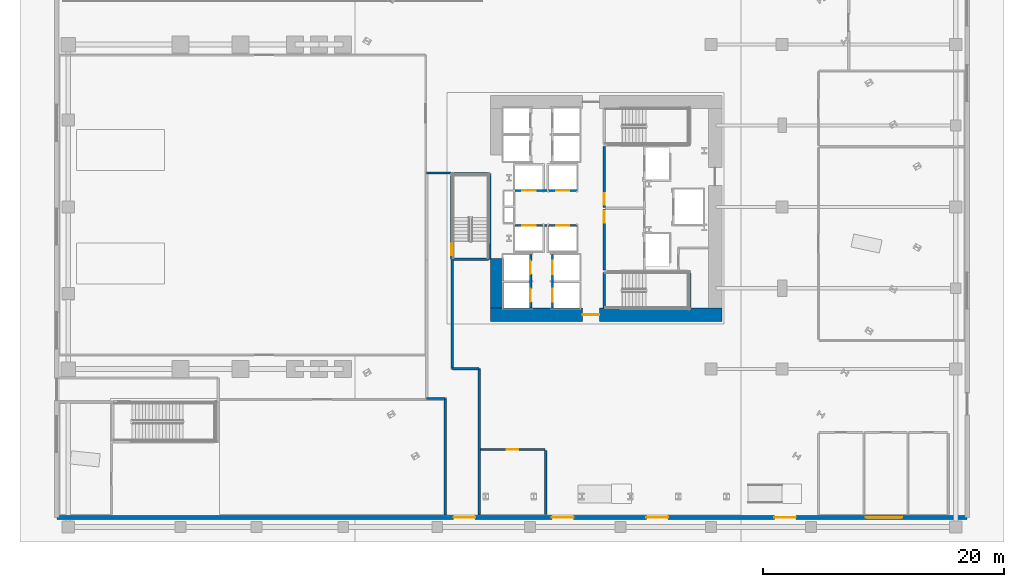
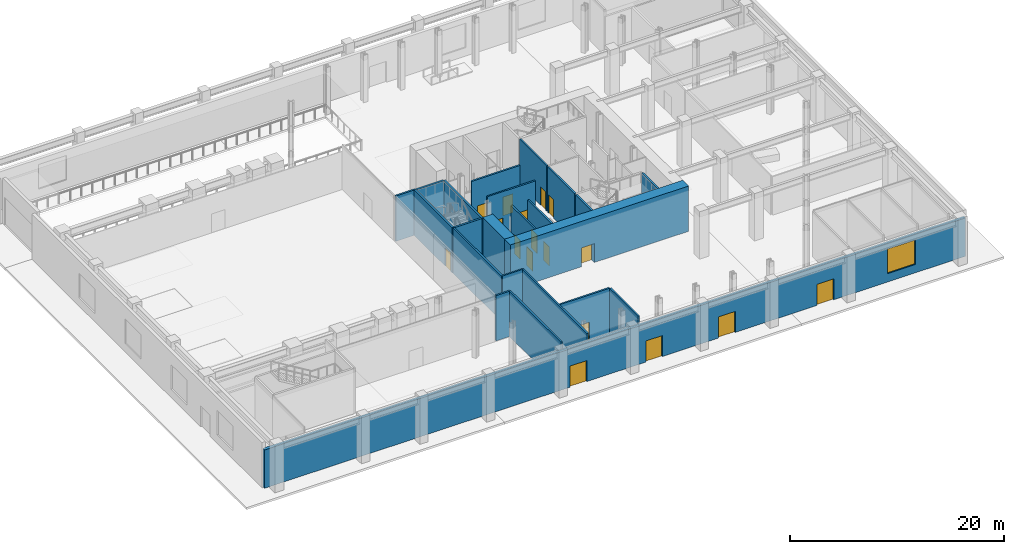
# One storey, part 4 of 18: 23 walls, 17 doors, 1 window, 18 openings.
"""IFC4 building model written with IfcOpenShell, lengths in metres."""

from ifc_helpers import new_model, si_unit, direction, frame, frame_2d, origin, place, context, subcontext, project, spatial, rectangle, extrude, material, layer, layer_set, type_object, element, fill, save


model = new_model("IFC4")

# Units and contexts
model_context = context("Model", 3, precision=1e-05, world=origin(), true_north=direction((0.0, 1.0)))
body_context = subcontext(model_context, "Body", "Model", "MODEL_VIEW")
ifc_project = project(units=[si_unit("LENGTHUNIT", "METRE"), si_unit("AREAUNIT", "SQUARE_METRE"), si_unit("VOLUMEUNIT", "CUBIC_METRE"), si_unit("PLANEANGLEUNIT", "RADIAN"), si_unit("MASSUNIT", "GRAM", prefix="KILO")], contexts=[model_context])

# Site, building, storey
site_placement = place(None, origin())
site = spatial("IfcSite", under=ifc_project, at=site_placement, CompositionType="ELEMENT")
building_placement = place(site_placement, origin())
building = spatial("IfcBuilding", under=site, at=building_placement, Name="Valkerne Bourse Tower", CompositionType="ELEMENT")
storey_placement = place(building_placement, origin())
storey = spatial("IfcBuildingStorey", under=building, at=storey_placement, Name="L00", CompositionType="ELEMENT", Elevation=0.0)

# Wall, opening, door
ifc_material_1 = material(Name="Concrete C70/85", Category="concrete")
ifc_layer_1 = layer(ifc_material_1, 1.10009765625)
ifc_layer_set_1 = layer_set([ifc_layer_1], Name="Concrete C70/85")
wall_type_1 = type_object("IfcWallType", Name="W-CORE-1100", PredefinedType="SHEAR", material=ifc_layer_set_1)
wall_1_placement = place(storey_placement, frame((37.199951171875, 18.050048828125, 0.0), z_axis=(0.0, 0.0, 1.0), x_axis=(1.0, 0.0, 0.0)))
wall_1 = element("IfcWall", 1, at=wall_1_placement, inside=storey, type_object=wall_type_1, Name="L00 Core Shear Wall SOUTH", PredefinedType="SHEAR", context=body_context, shape_type="SweptSolid", body=[
    extrude(rectangle(XDim=19.199951171875, YDim=1.10009765625, at=frame_2d((9.60009765625, 0.0))), origin(), (0.0, 0.0, 1.0), 5.159912109375),
])
opening_1_placement = place(wall_1_placement, frame((7.64990234375, 0.0, 0.0)))
opening_1 = element("IfcOpeningElement", 2, at=opening_1_placement, cuts=wall_1, Name="Opening D-PL-1400", PredefinedType="OPENING", context=body_context, shape_type="SweptSolid", body=[
    extrude(rectangle(XDim=1.39990234375, YDim=2.14990234375, at=frame_2d((0.699951171875, 1.074951171875))), frame((0.0, 0.56005859375, 0.0), z_axis=(0.0, -1.0, 0.0), x_axis=(1.0, 0.0, 0.0)), (0.0, 0.0, 1.0), 1.1201171875),
])
ifc_material_2 = material(Name="Galvanised Painted Steel", Category="steel")
door_type_1 = type_object("IfcDoorType", Name="DR-PLT-1400", OperationType="DOUBLE_DOOR_SINGLE_SWING", PredefinedType="DOOR", material=ifc_material_2)
door_1_placement = place(opening_1_placement, origin())
door_1 = element("IfcDoor", 3, at=door_1_placement, inside=storey, type_object=door_type_1, Name="L00 South Passenger Lift Hall Fire Door", OperationType="DOUBLE_DOOR_SINGLE_SWING", OverallHeight=2.14990234375, OverallWidth=1.39990234375, PredefinedType="DOOR", context=body_context, shape_type="SweptSolid", body=[
    extrude(rectangle(XDim=1.39990234375, YDim=2.14990234375, at=frame_2d((0.699951171875, 1.074951171875))), frame((0.0, 0.02490234375, 0.0), z_axis=(0.0, -1.0, 0.0), x_axis=(1.0, 0.0, 0.0)), (0.0, 0.0, 1.0), 0.050048828125),
])
fill(opening_1, door_1)

# Wall
wall_2_placement = place(storey_placement, frame((37.75, 18.60009765625, 0.0), z_axis=(0.0, 0.0, 1.0), x_axis=(0.0, 1.0, 0.0)))
element("IfcWall", 4, at=wall_2_placement, inside=storey, type_object=wall_type_1, Name="L00 Core Shear Wall WEST-S", PredefinedType="SHEAR", context=body_context, shape_type="SweptSolid", body=[
    extrude(rectangle(XDim=4.099853515625, YDim=1.10009765625, at=frame_2d((2.0498046875, 0.0))), origin(), (0.0, 0.0, 1.0), 5.159912109375),
])

# Wall, openings, doors, window
ifc_material_3 = material(Name="Indiana Limestone Cladding", Category="masonry")
ifc_layer_2 = layer(ifc_material_3, 0.35009765625)
ifc_layer_set_2 = layer_set([ifc_layer_2], Name="Indiana Limestone Cladding")
wall_type_2 = type_object("IfcWallType", Name="W-EXT-LIMESTONE-350", PredefinedType="STANDARD", material=ifc_layer_set_2)
wall_3_placement = place(storey_placement, frame((76.75, 1.25, 0.0), z_axis=(0.0, 0.0, 1.0), x_axis=(-1.0, 0.0, 0.0)))
wall_3 = element("IfcWall", 5, at=wall_3_placement, inside=storey, type_object=wall_type_2, Name="L00 Podium Exterior Wall SOUTH", PredefinedType="STANDARD", context=body_context, shape_type="SweptSolid", body=[
    extrude(rectangle(XDim=75.5, YDim=0.35009765625, at=frame_2d((37.75, 0.0))), origin(), (0.0, 0.0, 1.0), 4.368896484375),
])
opening_2_placement = place(wall_3_placement, frame((32.64990234375, 0.0, 0.0)))
opening_2 = element("IfcOpeningElement", 6, at=opening_2_placement, cuts=wall_3, Name="Opening EX-1800", PredefinedType="OPENING", context=body_context, shape_type="SweptSolid", body=[
    extrude(rectangle(XDim=1.800048828125, YDim=2.39990234375, at=frame_2d((0.89990234375, 1.199951171875))), frame((0.0, 0.18505859375, 0.0), z_axis=(0.0, -1.0, 0.0), x_axis=(1.0, 0.0, 0.0)), (0.0, 0.0, 1.0), 0.3701171875),
])
opening_3_placement = place(wall_3_placement, frame((24.800048828125, 0.0, 0.0)))
opening_3 = element("IfcOpeningElement", 7, at=opening_3_placement, cuts=wall_3, Name="Opening EX-1800", PredefinedType="OPENING", context=body_context, shape_type="SweptSolid", body=[
    extrude(rectangle(XDim=1.800048828125, YDim=2.39990234375, at=frame_2d((0.89990234375, 1.199951171875))), frame((0.0, 0.18505859375, 0.0), z_axis=(0.0, -1.0, 0.0), x_axis=(1.0, 0.0, 0.0)), (0.0, 0.0, 1.0), 0.3701171875),
])
opening_4_placement = place(wall_3_placement, frame((14.199951171875, 0.0, 0.0)))
opening_4 = element("IfcOpeningElement", 8, at=opening_4_placement, cuts=wall_3, Name="Opening EX-1800", PredefinedType="OPENING", context=body_context, shape_type="SweptSolid", body=[
    extrude(rectangle(XDim=1.800048828125, YDim=2.39990234375, at=frame_2d((0.89990234375, 1.199951171875))), frame((0.0, 0.18505859375, 0.0), z_axis=(0.0, -1.0, 0.0), x_axis=(1.0, 0.0, 0.0)), (0.0, 0.0, 1.0), 0.3701171875),
])
opening_5_placement = place(wall_3_placement, frame((40.800048828125, 0.0, 0.0)))
opening_5 = element("IfcOpeningElement", 9, at=opening_5_placement, cuts=wall_3, Name="Opening EX-1800", PredefinedType="OPENING", context=body_context, shape_type="SweptSolid", body=[
    extrude(rectangle(XDim=1.800048828125, YDim=2.39990234375, at=frame_2d((0.89990234375, 1.199951171875))), frame((0.0, 0.18505859375, 0.0), z_axis=(0.0, -1.0, 0.0), x_axis=(1.0, 0.0, 0.0)), (0.0, 0.0, 1.0), 0.3701171875),
])
opening_6_placement = place(wall_3_placement, frame((5.39990234375, 0.0, 0.949951171875)))
opening_6 = element("IfcOpeningElement", 10, at=opening_6_placement, cuts=wall_3, Name="Opening WN-01", PredefinedType="OPENING", context=body_context, shape_type="SweptSolid", body=[
    extrude(rectangle(XDim=3.0, YDim=2.800048828125, at=frame_2d((1.5, 1.39990234375))), frame((0.0, 0.18505859375, 0.0), z_axis=(0.0, -1.0, 0.0), x_axis=(1.0, 0.0, 0.0)), (0.0, 0.0, 1.0), 0.3701171875),
])
ifc_material_4 = material(Name="Bronze Anodised Aluminium AA 6063-T6", Category="aluminium")
door_type_2 = type_object("IfcDoorType", Name="DR-EXT-EXIT-1800", OperationType="DOUBLE_SWING_LEFT", PredefinedType="DOOR", material=ifc_material_4)
door_2_placement = place(opening_2_placement, origin())
door_2 = element("IfcDoor", 11, at=door_2_placement, inside=storey, type_object=door_type_2, Name="South Main Bourse Entrance Exit Door EX-01", OperationType="DOUBLE_SWING_LEFT", OverallHeight=2.39990234375, OverallWidth=1.800048828125, PredefinedType="DOOR", context=body_context, shape_type="SweptSolid", body=[
    extrude(rectangle(XDim=1.800048828125, YDim=2.39990234375, at=frame_2d((0.89990234375, 1.199951171875))), frame((0.0, 0.02490234375, 0.0), z_axis=(0.0, -1.0, 0.0), x_axis=(1.0, 0.0, 0.0)), (0.0, 0.0, 1.0), 0.050048828125),
])
fill(opening_2, door_2)
door_3_placement = place(opening_3_placement, origin())
door_3 = element("IfcDoor", 12, at=door_3_placement, inside=storey, type_object=door_type_2, Name="South Concourse Street Exit Door EX-02", OperationType="DOUBLE_SWING_LEFT", OverallHeight=2.39990234375, OverallWidth=1.800048828125, PredefinedType="DOOR", context=body_context, shape_type="SweptSolid", body=[
    extrude(rectangle(XDim=1.800048828125, YDim=2.39990234375, at=frame_2d((0.89990234375, 1.199951171875))), frame((0.0, 0.02490234375, 0.0), z_axis=(0.0, -1.0, 0.0), x_axis=(1.0, 0.0, 0.0)), (0.0, 0.0, 1.0), 0.050048828125),
])
fill(opening_3, door_3)
door_4_placement = place(opening_4_placement, origin())
door_4 = element("IfcDoor", 13, at=door_4_placement, inside=storey, type_object=door_type_2, Name="South-East Concourse Street Exit Door EX-03", OperationType="DOUBLE_SWING_LEFT", OverallHeight=2.39990234375, OverallWidth=1.800048828125, PredefinedType="DOOR", context=body_context, shape_type="SweptSolid", body=[
    extrude(rectangle(XDim=1.800048828125, YDim=2.39990234375, at=frame_2d((0.89990234375, 1.199951171875))), frame((0.0, 0.02490234375, 0.0), z_axis=(0.0, -1.0, 0.0), x_axis=(1.0, 0.0, 0.0)), (0.0, 0.0, 1.0), 0.050048828125),
])
fill(opening_4, door_4)
door_5_placement = place(opening_5_placement, origin())
door_5 = element("IfcDoor", 14, at=door_5_placement, inside=storey, type_object=door_type_2, Name="ST-3 Protected Exit Discharge Street Door EX-05", OperationType="DOUBLE_SWING_LEFT", OverallHeight=2.39990234375, OverallWidth=1.800048828125, PredefinedType="DOOR", context=body_context, shape_type="SweptSolid", body=[
    extrude(rectangle(XDim=1.800048828125, YDim=2.39990234375, at=frame_2d((0.89990234375, 1.199951171875))), frame((0.0, 0.02490234375, 0.0), z_axis=(0.0, -1.0, 0.0), x_axis=(1.0, 0.0, 0.0)), (0.0, 0.0, 1.0), 0.050048828125),
])
fill(opening_5, door_5)
ifc_material_5 = material(Name="Glass IGU Low-E Double Glazed", Category="glass")
window_type = type_object("IfcWindowType", Name="WIN-POD-3000X2800", PartitioningType="SINGLE_PANEL", PredefinedType="WINDOW", material=ifc_material_5)
window_placement = place(opening_6_placement, origin())
window = element("IfcWindow", 15, at=window_placement, inside=storey, type_object=window_type, Name="L00 Podium Low-E Window 11", OverallHeight=2.800048828125, OverallWidth=3.0, PartitioningType="SINGLE_PANEL", PredefinedType="WINDOW", context=body_context, shape_type="SweptSolid", body=[
    extrude(rectangle(XDim=3.0, YDim=2.800048828125, at=frame_2d((1.5, 1.39990234375))), frame((0.0, 0.030029296875, 0.0), z_axis=(0.0, -1.0, 0.0), x_axis=(1.0, 0.0, 0.0)), (0.0, 0.0, 1.0), 0.06005859375),
])
fill(opening_6, window)

# Wall, opening, door
ifc_material_6 = material(Name="Gypsum Fire-Rated Shaftwall", Category="gypsum")
ifc_layer_3 = layer(ifc_material_6, 0.179931640625)
ifc_layer_set_3 = layer_set([ifc_layer_3], Name="Gypsum Fire-Rated Shaftwall")
wall_type_3 = type_object("IfcWallType", Name="W-FSAE-180", PredefinedType="PARTITIONING", material=ifc_layer_set_3)
wall_4_placement = place(storey_placement, frame((46.64990234375, 21.75, 0.0), z_axis=(0.0, 0.0, 1.0), x_axis=(0.0, 1.0, 0.0)))
wall_4 = element("IfcWall", 16, at=wall_4_placement, inside=storey, type_object=wall_type_3, Name="L00 FSAE-1 Lobby West Fire Wall", PredefinedType="PARTITIONING", context=body_context, shape_type="SweptSolid", body=[
    extrude(rectangle(XDim=5.050048828125, YDim=0.179931640625, at=frame_2d((2.52490234375, 0.0))), origin(), (0.0, 0.0, 1.0), 5.159912109375),
])
opening_7_placement = place(wall_4_placement, frame((3.919921875, 0.0, 0.0)))
opening_7 = element("IfcOpeningElement", 17, at=opening_7_placement, cuts=wall_4, Name="Opening D-FS-950", PredefinedType="OPENING", context=body_context, shape_type="SweptSolid", body=[
    extrude(rectangle(XDim=0.949951171875, YDim=2.10009765625, at=frame_2d((0.47509765625, 1.050048828125))), frame((0.0, 0.099853515625, 0.0), z_axis=(0.0, -1.0, 0.0), x_axis=(1.0, 0.0, 0.0)), (0.0, 0.0, 1.0), 0.199951171875),
])
door_type_3 = type_object("IfcDoorType", Name="DR-FSAE-950", OperationType="NOTDEFINED", PredefinedType="DOOR", material=ifc_material_2)
door_6_placement = place(opening_7_placement, origin())
door_6 = element("IfcDoor", 18, at=door_6_placement, inside=storey, type_object=door_type_3, Name="L00 FSAE-1 Hall Link Fire Door", OperationType="SINGLE_SWING_LEFT", OverallHeight=2.10009765625, OverallWidth=0.949951171875, PredefinedType="DOOR", context=body_context, shape_type="SweptSolid", body=[
    extrude(rectangle(XDim=0.949951171875, YDim=2.10009765625, at=frame_2d((0.47509765625, 1.050048828125))), frame((0.0, 0.02490234375, 0.0), z_axis=(0.0, -1.0, 0.0), x_axis=(1.0, 0.0, 0.0)), (0.0, 0.0, 1.0), 0.050048828125),
])
fill(opening_7, door_6)

wall_5_placement = place(storey_placement, frame((46.64990234375, 26.9599609375, 0.0), z_axis=(0.0, 0.0, 1.0), x_axis=(0.0, 1.0, 0.0)))
wall_5 = element("IfcWall", 19, at=wall_5_placement, inside=storey, type_object=wall_type_3, Name="L00 FSAE-2 Lobby West Fire Wall", PredefinedType="PARTITIONING", context=body_context, shape_type="SweptSolid", body=[
    extrude(rectangle(XDim=5.0400390625, YDim=0.179931640625, at=frame_2d((2.52001953125, 0.0))), origin(), (0.0, 0.0, 1.0), 5.159912109375),
])
opening_8_placement = place(wall_5_placement, frame((0.219970703125, 0.0, 0.0)))
opening_8 = element("IfcOpeningElement", 20, at=opening_8_placement, cuts=wall_5, Name="Opening D-FS-950", PredefinedType="OPENING", context=body_context, shape_type="SweptSolid", body=[
    extrude(rectangle(XDim=0.949951171875, YDim=2.10009765625, at=frame_2d((0.47509765625, 1.050048828125))), frame((0.0, 0.099853515625, 0.0), z_axis=(0.0, -1.0, 0.0), x_axis=(1.0, 0.0, 0.0)), (0.0, 0.0, 1.0), 0.199951171875),
])
door_7_placement = place(opening_8_placement, origin())
door_7 = element("IfcDoor", 21, at=door_7_placement, inside=storey, type_object=door_type_3, Name="L00 FSAE-2 Hall Link Fire Door", OperationType="SINGLE_SWING_LEFT", OverallHeight=2.10009765625, OverallWidth=0.949951171875, PredefinedType="DOOR", context=body_context, shape_type="SweptSolid", body=[
    extrude(rectangle(XDim=0.949951171875, YDim=2.10009765625, at=frame_2d((0.47509765625, 1.050048828125))), frame((0.0, 0.02490234375, 0.0), z_axis=(0.0, -1.0, 0.0), x_axis=(1.0, 0.0, 0.0)), (0.0, 0.0, 1.0), 0.050048828125),
])
fill(opening_8, door_7)

# Walls
wall_6_placement = place(storey_placement, frame((31.929931640625, 29.820068359375, 0.0), z_axis=(0.0, 0.0, 1.0), x_axis=(1.0, 0.0, 0.0)))
element("IfcWall", 22, at=wall_6_placement, inside=storey, type_object=wall_type_3, Name="L00 ST-3 Exit Passageway North Cap Fire Wall", PredefinedType="PARTITIONING", context=body_context, shape_type="SweptSolid", body=[
    extrude(rectangle(XDim=2.1201171875, YDim=0.179931640625, at=frame_2d((1.06005859375, 0.0))), origin(), (0.0, 0.0, 1.0), 5.159912109375),
])
wall_7_placement = place(storey_placement, frame((34.050048828125, 13.580078125, 0.0), z_axis=(0.0, 0.0, 1.0), x_axis=(0.0, 1.0, 0.0)))
element("IfcWall", 23, at=wall_7_placement, inside=storey, type_object=wall_type_3, Name="L00 ST-3 Exit Passageway Inner East Fire Wall", PredefinedType="PARTITIONING", context=body_context, shape_type="SweptSolid", body=[
    extrude(rectangle(XDim=9.0, YDim=0.179931640625, at=frame_2d((4.5, 0.0))), origin(), (0.0, 0.0, 1.0), 5.159912109375),
])
wall_8_placement = place(storey_placement, frame((34.050048828125, 13.580078125, 0.0), z_axis=(0.0, 0.0, 1.0), x_axis=(1.0, 0.0, 0.0)))
element("IfcWall", 24, at=wall_8_placement, inside=storey, type_object=wall_type_3, Name="L00 ST-3 Exit Passageway Jog North Fire Wall", PredefinedType="PARTITIONING", context=body_context, shape_type="SweptSolid", body=[
    extrude(rectangle(XDim=2.22998046875, YDim=0.179931640625, at=frame_2d((1.114990234375, 0.0))), origin(), (0.0, 0.0, 1.0), 5.159912109375),
])
wall_9_placement = place(storey_placement, frame((36.280029296875, 1.449951171875, 0.0), z_axis=(0.0, 0.0, 1.0), x_axis=(0.0, 1.0, 0.0)))
element("IfcWall", 25, at=wall_9_placement, inside=storey, type_object=wall_type_3, Name="L00 ST-3 Exit Passageway Lower East Fire Wall", PredefinedType="PARTITIONING", context=body_context, shape_type="SweptSolid", body=[
    extrude(rectangle(XDim=12.130126953125, YDim=0.179931640625, at=frame_2d((6.06494140625, 0.0))), origin(), (0.0, 0.0, 1.0), 5.159912109375),
])
wall_10_placement = place(storey_placement, frame((31.929931640625, 11.1201171875, 0.0), z_axis=(0.0, 0.0, 1.0), x_axis=(1.0, 0.0, 0.0)))
element("IfcWall", 26, at=wall_10_placement, inside=storey, type_object=wall_type_3, Name="L00 ST-3 Exit Passageway Jog South Fire Wall", PredefinedType="PARTITIONING", context=body_context, shape_type="SweptSolid", body=[
    extrude(rectangle(XDim=1.530029296875, YDim=0.179931640625, at=frame_2d((0.76513671875, 0.0))), origin(), (0.0, 0.0, 1.0), 5.159912109375),
])
wall_11_placement = place(storey_placement, frame((33.4599609375, 1.449951171875, 0.0), z_axis=(0.0, 0.0, 1.0), x_axis=(0.0, 1.0, 0.0)))
element("IfcWall", 27, at=wall_11_placement, inside=storey, type_object=wall_type_3, Name="L00 ST-3 Exit Passageway Lower West Fire Wall", PredefinedType="PARTITIONING", context=body_context, shape_type="SweptSolid", body=[
    extrude(rectangle(XDim=9.670166015625, YDim=0.179931640625, at=frame_2d((4.8349609375, 0.0))), origin(), (0.0, 0.0, 1.0), 5.159912109375),
])
wall_12_placement = place(storey_placement, frame((41.800048828125, 1.5, 0.0), z_axis=(0.0, 0.0, 1.0), x_axis=(0.0, 1.0, 0.0)))
element("IfcWall", 28, at=wall_12_placement, inside=storey, type_object=wall_type_3, Name="L00 Fire Command Centre Plant Room Wall", PredefinedType="PARTITIONING", context=body_context, shape_type="SweptSolid", body=[
    extrude(rectangle(XDim=5.300048828125, YDim=0.179931640625, at=frame_2d((2.64990234375, 0.0))), origin(), (0.0, 0.0, 1.0), 5.159912109375),
])

# Wall, opening, door
wall_13_placement = place(storey_placement, frame((36.39990234375, 6.8798828125, 0.0), z_axis=(0.0, 0.0, 1.0), x_axis=(1.0, 0.0, 0.0)))
wall_13 = element("IfcWall", 29, at=wall_13_placement, inside=storey, type_object=wall_type_3, Name="L00 Fire Command Centre Plant Room Wall", PredefinedType="PARTITIONING", context=body_context, shape_type="SweptSolid", body=[
    extrude(rectangle(XDim=5.320068359375, YDim=0.179931640625, at=frame_2d((2.66015625, 0.0))), origin(), (0.0, 0.0, 1.0), 5.159912109375),
])
opening_9_placement = place(wall_13_placement, frame((2.18505859375, 0.0, 0.0)))
opening_9 = element("IfcOpeningElement", 30, at=opening_9_placement, cuts=wall_13, Name="Opening D-SV-950", PredefinedType="OPENING", context=body_context, shape_type="SweptSolid", body=[
    extrude(rectangle(XDim=0.949951171875, YDim=2.050048828125, at=frame_2d((0.47509765625, 1.02490234375))), frame((0.0, 0.099853515625, 0.0), z_axis=(0.0, -1.0, 0.0), x_axis=(1.0, 0.0, 0.0)), (0.0, 0.0, 1.0), 0.199951171875),
])
door_type_4 = type_object("IfcDoorType", Name="DR-SRV-950", OperationType="NOTDEFINED", PredefinedType="DOOR", material=ifc_material_2)
door_8_placement = place(opening_9_placement, origin())
door_8 = element("IfcDoor", 31, at=door_8_placement, inside=storey, type_object=door_type_4, Name="L00 Fire Command Centre Door", OperationType="SINGLE_SWING_RIGHT", OverallHeight=2.050048828125, OverallWidth=0.949951171875, PredefinedType="DOOR", context=body_context, shape_type="SweptSolid", body=[
    extrude(rectangle(XDim=0.949951171875, YDim=2.050048828125, at=frame_2d((0.47509765625, 1.02490234375))), frame((0.0, 0.02490234375, 0.0), z_axis=(0.0, -1.0, 0.0), x_axis=(1.0, 0.0, 0.0)), (0.0, 0.0, 1.0), 0.050048828125),
])
fill(opening_9, door_8)

# Wall, openings, doors
ifc_material_7 = material(Name="CMU Blockwork Masonry 200mm", Category="masonry")
ifc_layer_4 = layer(ifc_material_7, 0.179931640625)
ifc_layer_set_4 = layer_set([ifc_layer_4], Name="CMU Blockwork Masonry 200mm")
wall_type_4 = type_object("IfcWallType", Name="W-LFT-180", PredefinedType="SOLIDWALL", material=ifc_layer_set_4)
wall_14_placement = place(storey_placement, frame((40.550048828125, 18.6201171875, 0.0), z_axis=(0.0, 0.0, 1.0), x_axis=(0.0, 1.0, 0.0)))
wall_14 = element("IfcWall", 32, at=wall_14_placement, inside=storey, type_object=wall_type_4, Name="L00 Low-Zone West Cars Front Wall", PredefinedType="SOLIDWALL", context=body_context, shape_type="SweptSolid", body=[
    extrude(rectangle(XDim=4.429931640625, YDim=0.179931640625, at=frame_2d((2.21484375, 0.0))), origin(), (0.0, 0.0, 1.0), 5.159912109375),
])
opening_10_placement = place(wall_14_placement, frame((0.5, 0.0, 0.0)))
opening_10 = element("IfcOpeningElement", 33, at=opening_10_placement, cuts=wall_14, Name="Opening LD-1100", PredefinedType="OPENING", context=body_context, shape_type="SweptSolid", body=[
    extrude(rectangle(XDim=1.10009765625, YDim=2.14990234375, at=frame_2d((0.550048828125, 1.074951171875))), frame((0.0, 0.099853515625, 0.0), z_axis=(0.0, -1.0, 0.0), x_axis=(1.0, 0.0, 0.0)), (0.0, 0.0, 1.0), 0.199951171875),
])
opening_11_placement = place(wall_14_placement, frame((2.800048828125, 0.0, 0.0)))
opening_11 = element("IfcOpeningElement", 34, at=opening_11_placement, cuts=wall_14, Name="Opening LD-1100", PredefinedType="OPENING", context=body_context, shape_type="SweptSolid", body=[
    extrude(rectangle(XDim=1.10009765625, YDim=2.14990234375, at=frame_2d((0.550048828125, 1.074951171875))), frame((0.0, 0.099853515625, 0.0), z_axis=(0.0, -1.0, 0.0), x_axis=(1.0, 0.0, 0.0)), (0.0, 0.0, 1.0), 0.199951171875),
])
ifc_material_8 = material(Name="Stainless Steel AISI 316", Category="steel")
door_type_5 = type_object("IfcDoorType", Name="DR-LIFT-1100", OperationType="DOUBLE_DOOR_SLIDING", PredefinedType="DOOR", material=ifc_material_8)
door_9_placement = place(opening_10_placement, origin())
door_9 = element("IfcDoor", 35, at=door_9_placement, inside=storey, type_object=door_type_5, Name="L00 Passenger Lift PL-L1 Sliding Landing Door", OperationType="DOUBLE_DOOR_SLIDING", OverallHeight=2.14990234375, OverallWidth=1.10009765625, PredefinedType="DOOR", context=body_context, shape_type="SweptSolid", body=[
    extrude(rectangle(XDim=1.10009765625, YDim=2.14990234375, at=frame_2d((0.550048828125, 1.074951171875))), frame((0.0, 0.02490234375, 0.0), z_axis=(0.0, -1.0, 0.0), x_axis=(1.0, 0.0, 0.0)), (0.0, 0.0, 1.0), 0.050048828125),
])
fill(opening_10, door_9)
door_10_placement = place(opening_11_placement, origin())
door_10 = element("IfcDoor", 36, at=door_10_placement, inside=storey, type_object=door_type_5, Name="L00 Passenger Lift PL-L2 Sliding Landing Door", OperationType="DOUBLE_DOOR_SLIDING", OverallHeight=2.14990234375, OverallWidth=1.10009765625, PredefinedType="DOOR", context=body_context, shape_type="SweptSolid", body=[
    extrude(rectangle(XDim=1.10009765625, YDim=2.14990234375, at=frame_2d((0.550048828125, 1.074951171875))), frame((0.0, 0.02490234375, 0.0), z_axis=(0.0, -1.0, 0.0), x_axis=(1.0, 0.0, 0.0)), (0.0, 0.0, 1.0), 0.050048828125),
])
fill(opening_11, door_10)

wall_15_placement = place(storey_placement, frame((42.35009765625, 18.6201171875, 0.0), z_axis=(0.0, 0.0, 1.0), x_axis=(0.0, 1.0, 0.0)))
wall_15 = element("IfcWall", 37, at=wall_15_placement, inside=storey, type_object=wall_type_4, Name="L00 Low-Zone East Cars Front Wall", PredefinedType="SOLIDWALL", context=body_context, shape_type="SweptSolid", body=[
    extrude(rectangle(XDim=4.429931640625, YDim=0.179931640625, at=frame_2d((2.21484375, 0.0))), origin(), (0.0, 0.0, 1.0), 5.159912109375),
])
opening_12_placement = place(wall_15_placement, frame((0.5, 0.0, 0.0)))
opening_12 = element("IfcOpeningElement", 38, at=opening_12_placement, cuts=wall_15, Name="Opening LD-1100", PredefinedType="OPENING", context=body_context, shape_type="SweptSolid", body=[
    extrude(rectangle(XDim=1.10009765625, YDim=2.14990234375, at=frame_2d((0.550048828125, 1.074951171875))), frame((0.0, 0.099853515625, 0.0), z_axis=(0.0, -1.0, 0.0), x_axis=(1.0, 0.0, 0.0)), (0.0, 0.0, 1.0), 0.199951171875),
])
opening_13_placement = place(wall_15_placement, frame((2.800048828125, 0.0, 0.0)))
opening_13 = element("IfcOpeningElement", 39, at=opening_13_placement, cuts=wall_15, Name="Opening LD-1100", PredefinedType="OPENING", context=body_context, shape_type="SweptSolid", body=[
    extrude(rectangle(XDim=1.10009765625, YDim=2.14990234375, at=frame_2d((0.550048828125, 1.074951171875))), frame((0.0, 0.099853515625, 0.0), z_axis=(0.0, -1.0, 0.0), x_axis=(1.0, 0.0, 0.0)), (0.0, 0.0, 1.0), 0.199951171875),
])
door_11_placement = place(opening_12_placement, origin())
door_11 = element("IfcDoor", 40, at=door_11_placement, inside=storey, type_object=door_type_5, Name="L00 Passenger Lift PL-L3 Sliding Landing Door", OperationType="DOUBLE_DOOR_SLIDING", OverallHeight=2.14990234375, OverallWidth=1.10009765625, PredefinedType="DOOR", context=body_context, shape_type="SweptSolid", body=[
    extrude(rectangle(XDim=1.10009765625, YDim=2.14990234375, at=frame_2d((0.550048828125, 1.074951171875))), frame((0.0, 0.02490234375, 0.0), z_axis=(0.0, -1.0, 0.0), x_axis=(1.0, 0.0, 0.0)), (0.0, 0.0, 1.0), 0.050048828125),
])
fill(opening_12, door_11)
door_12_placement = place(opening_13_placement, origin())
door_12 = element("IfcDoor", 41, at=door_12_placement, inside=storey, type_object=door_type_5, Name="L00 Passenger Lift PL-L4 Sliding Landing Door", OperationType="DOUBLE_DOOR_SLIDING", OverallHeight=2.14990234375, OverallWidth=1.10009765625, PredefinedType="DOOR", context=body_context, shape_type="SweptSolid", body=[
    extrude(rectangle(XDim=1.10009765625, YDim=2.14990234375, at=frame_2d((0.550048828125, 1.074951171875))), frame((0.0, 0.02490234375, 0.0), z_axis=(0.0, -1.0, 0.0), x_axis=(1.0, 0.0, 0.0)), (0.0, 0.0, 1.0), 0.050048828125),
])
fill(opening_13, door_12)

wall_16_placement = place(storey_placement, frame((39.25, 25.449951171875, 0.0), z_axis=(0.0, 0.0, 1.0), x_axis=(1.0, 0.0, 0.0)))
wall_16 = element("IfcWall", 42, at=wall_16_placement, inside=storey, type_object=wall_type_4, Name="L00 High-Zone South Cars Front Wall", PredefinedType="SOLIDWALL", context=body_context, shape_type="SweptSolid", body=[
    extrude(rectangle(XDim=5.199951171875, YDim=0.179931640625, at=frame_2d((2.60009765625, 0.0))), origin(), (0.0, 0.0, 1.0), 5.159912109375),
])
opening_14_placement = place(wall_16_placement, frame((0.60009765625, 0.0, 0.0)))
opening_14 = element("IfcOpeningElement", 43, at=opening_14_placement, cuts=wall_16, Name="Opening LD-1100", PredefinedType="OPENING", context=body_context, shape_type="SweptSolid", body=[
    extrude(rectangle(XDim=1.10009765625, YDim=2.14990234375, at=frame_2d((0.550048828125, 1.074951171875))), frame((0.0, 0.099853515625, 0.0), z_axis=(0.0, -1.0, 0.0), x_axis=(1.0, 0.0, 0.0)), (0.0, 0.0, 1.0), 0.199951171875),
])
opening_15_placement = place(wall_16_placement, frame((3.39990234375, 0.0, 0.0)))
opening_15 = element("IfcOpeningElement", 44, at=opening_15_placement, cuts=wall_16, Name="Opening LD-1100", PredefinedType="OPENING", context=body_context, shape_type="SweptSolid", body=[
    extrude(rectangle(XDim=1.10009765625, YDim=2.14990234375, at=frame_2d((0.550048828125, 1.074951171875))), frame((0.0, 0.099853515625, 0.0), z_axis=(0.0, -1.0, 0.0), x_axis=(1.0, 0.0, 0.0)), (0.0, 0.0, 1.0), 0.199951171875),
])
door_13_placement = place(opening_14_placement, origin())
door_13 = element("IfcDoor", 45, at=door_13_placement, inside=storey, type_object=door_type_5, Name="L00 Passenger Lift PL-H1 Sliding Landing Door", OperationType="DOUBLE_DOOR_SLIDING", OverallHeight=2.14990234375, OverallWidth=1.10009765625, PredefinedType="DOOR", context=body_context, shape_type="SweptSolid", body=[
    extrude(rectangle(XDim=1.10009765625, YDim=2.14990234375, at=frame_2d((0.550048828125, 1.074951171875))), frame((0.0, 0.02490234375, 0.0), z_axis=(0.0, -1.0, 0.0), x_axis=(1.0, 0.0, 0.0)), (0.0, 0.0, 1.0), 0.050048828125),
])
fill(opening_14, door_13)
door_14_placement = place(opening_15_placement, origin())
door_14 = element("IfcDoor", 46, at=door_14_placement, inside=storey, type_object=door_type_5, Name="L00 Passenger Lift PL-H2 Sliding Landing Door", OperationType="DOUBLE_DOOR_SLIDING", OverallHeight=2.14990234375, OverallWidth=1.10009765625, PredefinedType="DOOR", context=body_context, shape_type="SweptSolid", body=[
    extrude(rectangle(XDim=1.10009765625, YDim=2.14990234375, at=frame_2d((0.550048828125, 1.074951171875))), frame((0.0, 0.02490234375, 0.0), z_axis=(0.0, -1.0, 0.0), x_axis=(1.0, 0.0, 0.0)), (0.0, 0.0, 1.0), 0.050048828125),
])
fill(opening_15, door_14)

wall_17_placement = place(storey_placement, frame((39.25, 28.35009765625, 0.0), z_axis=(0.0, 0.0, 1.0), x_axis=(1.0, 0.0, 0.0)))
wall_17 = element("IfcWall", 47, at=wall_17_placement, inside=storey, type_object=wall_type_4, Name="L00 High-Zone North Cars Front Wall", PredefinedType="SOLIDWALL", context=body_context, shape_type="SweptSolid", body=[
    extrude(rectangle(XDim=5.199951171875, YDim=0.179931640625, at=frame_2d((2.60009765625, 0.0))), origin(), (0.0, 0.0, 1.0), 5.159912109375),
])
opening_16_placement = place(wall_17_placement, frame((0.60009765625, 0.0, 0.0)))
opening_16 = element("IfcOpeningElement", 48, at=opening_16_placement, cuts=wall_17, Name="Opening LD-1100", PredefinedType="OPENING", context=body_context, shape_type="SweptSolid", body=[
    extrude(rectangle(XDim=1.10009765625, YDim=2.14990234375, at=frame_2d((0.550048828125, 1.074951171875))), frame((0.0, 0.099853515625, 0.0), z_axis=(0.0, -1.0, 0.0), x_axis=(1.0, 0.0, 0.0)), (0.0, 0.0, 1.0), 0.199951171875),
])
opening_17_placement = place(wall_17_placement, frame((3.39990234375, 0.0, 0.0)))
opening_17 = element("IfcOpeningElement", 49, at=opening_17_placement, cuts=wall_17, Name="Opening LD-1100", PredefinedType="OPENING", context=body_context, shape_type="SweptSolid", body=[
    extrude(rectangle(XDim=1.10009765625, YDim=2.14990234375, at=frame_2d((0.550048828125, 1.074951171875))), frame((0.0, 0.099853515625, 0.0), z_axis=(0.0, -1.0, 0.0), x_axis=(1.0, 0.0, 0.0)), (0.0, 0.0, 1.0), 0.199951171875),
])
door_15_placement = place(opening_16_placement, origin())
door_15 = element("IfcDoor", 50, at=door_15_placement, inside=storey, type_object=door_type_5, Name="L00 Passenger Lift PL-H3 Sliding Landing Door", OperationType="DOUBLE_DOOR_SLIDING", OverallHeight=2.14990234375, OverallWidth=1.10009765625, PredefinedType="DOOR", context=body_context, shape_type="SweptSolid", body=[
    extrude(rectangle(XDim=1.10009765625, YDim=2.14990234375, at=frame_2d((0.550048828125, 1.074951171875))), frame((0.0, 0.02490234375, 0.0), z_axis=(0.0, -1.0, 0.0), x_axis=(1.0, 0.0, 0.0)), (0.0, 0.0, 1.0), 0.050048828125),
])
fill(opening_16, door_15)
door_16_placement = place(opening_17_placement, origin())
door_16 = element("IfcDoor", 51, at=door_16_placement, inside=storey, type_object=door_type_5, Name="L00 Passenger Lift PL-H4 Sliding Landing Door", OperationType="DOUBLE_DOOR_SLIDING", OverallHeight=2.14990234375, OverallWidth=1.10009765625, PredefinedType="DOOR", context=body_context, shape_type="SweptSolid", body=[
    extrude(rectangle(XDim=1.10009765625, YDim=2.14990234375, at=frame_2d((0.550048828125, 1.074951171875))), frame((0.0, 0.02490234375, 0.0), z_axis=(0.0, -1.0, 0.0), x_axis=(1.0, 0.0, 0.0)), (0.0, 0.0, 1.0), 0.050048828125),
])
fill(opening_17, door_16)

# Walls
ifc_material_9 = material(Name="Concrete C40/50", Category="concrete")
ifc_layer_5 = layer(ifc_material_9, 0.199951171875)
ifc_layer_set_5 = layer_set([ifc_layer_5], Name="Concrete C40/50")
wall_type_5 = type_object("IfcWallType", Name="W-SHF-200", PredefinedType="SHEAR", material=ifc_layer_set_5)
for number, where, z_axis, x_axis, name in (
    (52, (46.64990234375, 18.60009765625, 0.0), (0.0, 0.0, 1.0), (0.0, 1.0, 0.0), "L00 Exit Stair ST-1 Structural Shaft Wall West"),
    (53, (53.75, 18.60009765625, 0.0), (0.0, 0.0, 1.0), (0.0, 1.0, 0.0), "L00 Exit Stair ST-1 Structural Shaft Wall East"),
):
    element("IfcWall", number, at=place(storey_placement, frame(where, z_axis=z_axis, x_axis=x_axis)), inside=storey, type_object=wall_type_5, Name=name, PredefinedType="SHEAR", context=body_context, shape_type="SweptSolid", body=[
        extrude(rectangle(XDim=2.949951171875, YDim=0.199951171875, at=frame_2d((1.47509765625, 0.0))), origin(), (0.0, 0.0, 1.0), 5.159912109375),
    ])

# Wall, opening, door
wall_18_placement = place(storey_placement, frame((34.0, 22.64990234375, 0.0), z_axis=(0.0, 0.0, 1.0), x_axis=(0.0, 1.0, 0.0)))
wall_18 = element("IfcWall", 54, at=wall_18_placement, inside=storey, type_object=wall_type_5, Name="L00 Exit Stair ST-3 Structural Shaft Wall West", PredefinedType="SHEAR", context=body_context, shape_type="SweptSolid", body=[
    extrude(rectangle(XDim=7.10009765625, YDim=0.199951171875, at=frame_2d((3.550048828125, 0.0))), origin(), (0.0, 0.0, 1.0), 5.159912109375),
])
opening_18_placement = place(wall_18_placement, frame((0.35009765625, 0.0, 0.0)))
opening_18 = element("IfcOpeningElement", 55, at=opening_18_placement, cuts=wall_18, Name="Opening D-ST-950", PredefinedType="OPENING", context=body_context, shape_type="SweptSolid", body=[
    extrude(rectangle(XDim=0.949951171875, YDim=2.10009765625, at=frame_2d((0.47509765625, 1.050048828125))), frame((0.0, 0.10986328125, 0.0), z_axis=(0.0, -1.0, 0.0), x_axis=(1.0, 0.0, 0.0)), (0.0, 0.0, 1.0), 0.219970703125),
])
door_type_6 = type_object("IfcDoorType", Name="DR-STAIR-950", OperationType="NOTDEFINED", PredefinedType="DOOR", material=ifc_material_2)
door_17_placement = place(opening_18_placement, origin())
door_17 = element("IfcDoor", 56, at=door_17_placement, inside=storey, type_object=door_type_6, Name="L00 Exit Stair ST-3 Door", OperationType="SINGLE_SWING_LEFT", OverallHeight=2.10009765625, OverallWidth=0.949951171875, PredefinedType="DOOR", context=body_context, shape_type="SweptSolid", body=[
    extrude(rectangle(XDim=0.949951171875, YDim=2.10009765625, at=frame_2d((0.47509765625, 1.050048828125))), frame((0.0, 0.02490234375, 0.0), z_axis=(0.0, -1.0, 0.0), x_axis=(1.0, 0.0, 0.0)), (0.0, 0.0, 1.0), 0.050048828125),
])
fill(opening_18, door_17)

# Walls
for number, where, z_axis, x_axis, name in (
    (57, (34.10009765625, 22.64990234375, 0.0), (0.0, 0.0, 1.0), (1.0, 0.0, 0.0), "L00 Exit Stair ST-3 Structural Shaft Wall South"),
    (58, (34.10009765625, 29.75, 0.0), (0.0, 0.0, 1.0), (1.0, 0.0, 0.0), "L00 Exit Stair ST-3 Structural Shaft Wall North"),
):
    element("IfcWall", number, at=place(storey_placement, frame(where, z_axis=z_axis, x_axis=x_axis)), inside=storey, type_object=wall_type_5, Name=name, PredefinedType="SHEAR", context=body_context, shape_type="SweptSolid", body=[
        extrude(rectangle(XDim=2.949951171875, YDim=0.199951171875, at=frame_2d((1.47509765625, 0.0))), origin(), (0.0, 0.0, 1.0), 5.159912109375),
    ])
wall_19_placement = place(storey_placement, frame((37.14990234375, 22.64990234375, 0.0), z_axis=(0.0, 0.0, 1.0), x_axis=(0.0, 1.0, 0.0)))
element("IfcWall", 59, at=wall_19_placement, inside=storey, type_object=wall_type_5, Name="L00 Exit Stair ST-3 Structural Shaft Wall East", PredefinedType="SHEAR", context=body_context, shape_type="SweptSolid", body=[
    extrude(rectangle(XDim=7.10009765625, YDim=0.199951171875, at=frame_2d((3.550048828125, 0.0))), origin(), (0.0, 0.0, 1.0), 5.159912109375),
])

save(model, "model.ifc")
